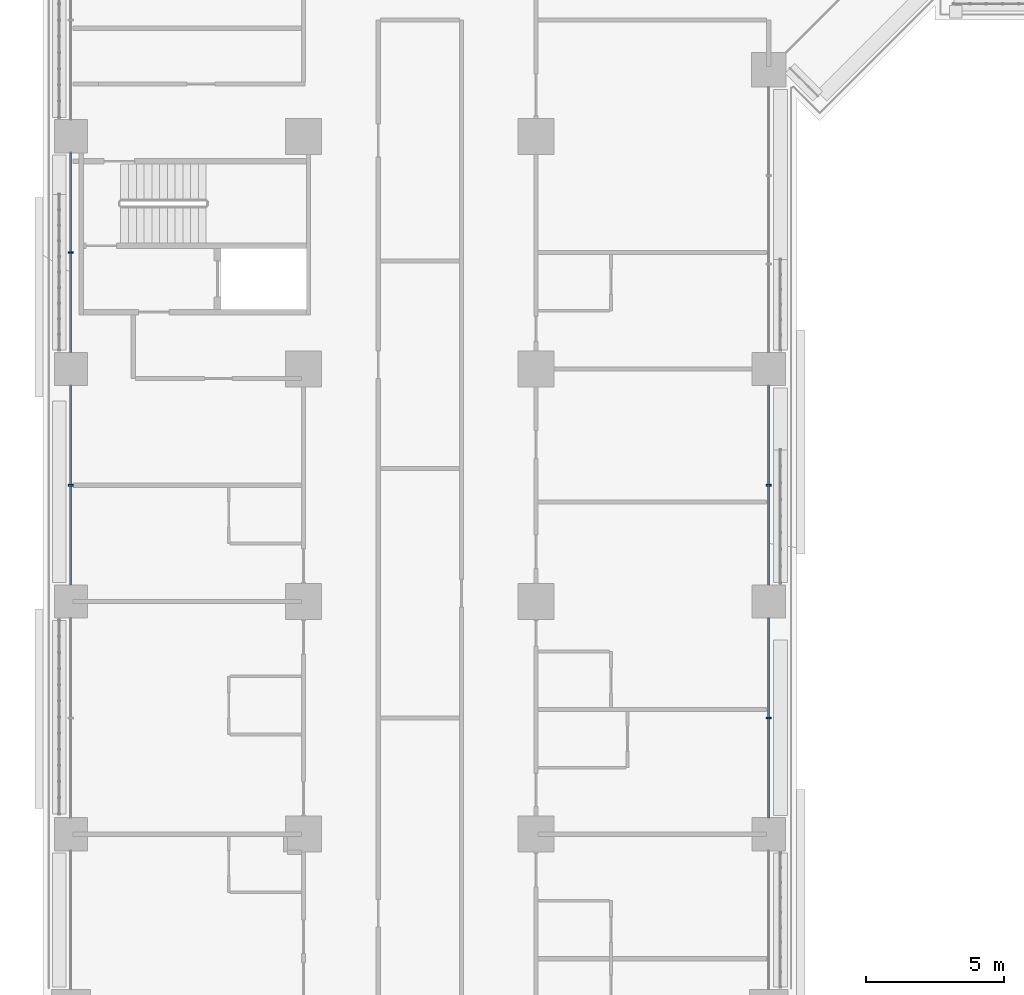
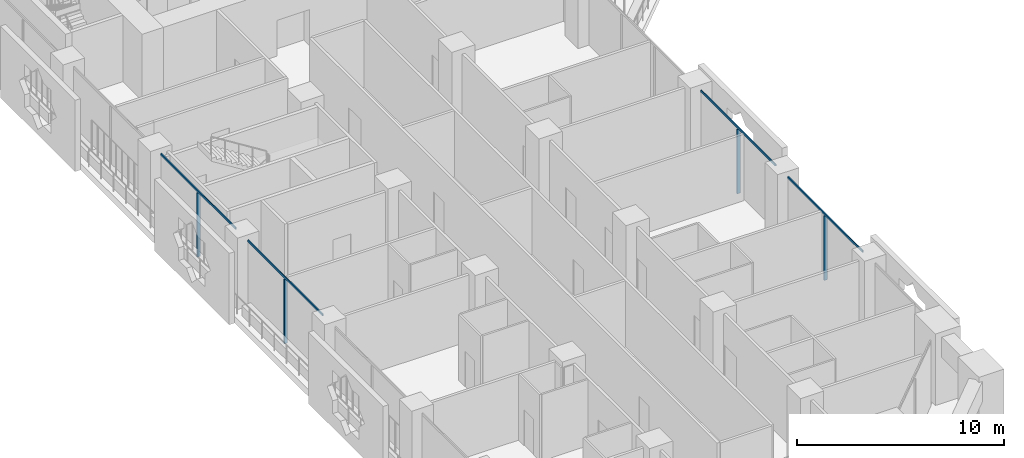
# One storey, part 3 of 28: 8 members, 2 elements without a shape of their own.
"""IFC4 building model written with IfcOpenShell, lengths in metres."""

from ifc_helpers import new_model, si_unit, direction, frame, origin, origin_2d, place, context, subcontext, project, spatial, rectangle, extrude, material, layer, layer_set, material_profile, profile_set, type_object, element, aggregate, save


model = new_model("IFC4")

# Units and contexts
model_context = context("Model", 3, precision=1e-05, world=origin(), true_north=direction((0.0, 1.0)))
body_context = subcontext(model_context, "Body", "Model", "MODEL_VIEW")
ifc_project = project(units=[si_unit("LENGTHUNIT", "METRE"), si_unit("AREAUNIT", "SQUARE_METRE"), si_unit("VOLUMEUNIT", "CUBIC_METRE"), si_unit("PLANEANGLEUNIT", "RADIAN"), si_unit("MASSUNIT", "GRAM", prefix="KILO")], contexts=[model_context])

# Site, building, storey
site_placement = place(None, origin())
site = spatial("IfcSite", under=ifc_project, at=site_placement, CompositionType="ELEMENT")
building_placement = place(site_placement, origin())
building = spatial("IfcBuilding", under=site, at=building_placement, Name="Kawkab Arch Medical Tower", CompositionType="ELEMENT")
storey_placement = place(building_placement, frame((0.0, 0.0, 56.0)))
storey = spatial("IfcBuildingStorey", under=building, at=storey_placement, Name="L12", CompositionType="ELEMENT", Elevation=56.0)

# Curtain wall, members
ifc_material_1 = material(Name="Bronze anodised aluminium curtain wall frame", Category="aluminium")
ifc_layer = layer(ifc_material_1, 0.159912109375)
ifc_layer_set = layer_set([ifc_layer], Name="Bronze anodised aluminium curtain wall frame")
curtain_wall_type = type_object("IfcCurtainWallType", Name="CW1 ward curtain wall", PredefinedType="NOTDEFINED", material=ifc_layer_set)
placement = place(storey_placement, origin())
curtain_wall_1 = element("IfcCurtainWall", 1, at=placement, inside=storey, type_object=curtain_wall_type, Name="CW1 Ward curtain wall R01", PredefinedType="NOTDEFINED")
ifc_material_2 = material(Name="Bronze anodised aluminium curtain wall frame", Category="aluminium")
ifc_material_profile_1 = material_profile(ifc_material_2, rectangle(XDim=0.179931640625, YDim=0.06005859375, at=origin_2d()), Name="AL 60x180")
ifc_profile_set_1 = profile_set([ifc_material_profile_1], Name="Bronze anodised aluminium curtain wall frame")
member_type_1 = type_object("IfcMemberType", Name="CW1 mullion 60 x 180", PredefinedType="MULLION", material=ifc_profile_set_1)
member_1_placement = place(storey_placement, frame((0.0, -37.800048828125, 0.0), z_axis=(0.0, 0.0, 1.0), x_axis=(1.0, 0.0, 0.0)))
member_1 = element("IfcMember", 2, at=member_1_placement, type_object=member_type_1, Name="CW1 mullion 4.1", PredefinedType="MULLION", context=body_context, shape_type="SweptSolid", body=[
    extrude(rectangle(XDim=0.179931640625, YDim=0.06005859375, at=origin_2d()), origin(), (0.0, 0.0, 1.0), 3.780029296875),
])
member_2_placement = place(storey_placement, frame((0.0, -46.199951171875, 0.0), z_axis=(0.0, 0.0, 1.0), x_axis=(1.0, 0.0, 0.0)))
member_2 = element("IfcMember", 3, at=member_2_placement, type_object=member_type_1, Name="CW1 mullion 5.1", PredefinedType="MULLION", context=body_context, shape_type="SweptSolid", body=[
    extrude(rectangle(XDim=0.179931640625, YDim=0.06005859375, at=origin_2d()), origin(), (0.0, 0.0, 1.0), 3.780029296875),
])

curtain_wall_2 = element("IfcCurtainWall", 4, at=placement, inside=storey, type_object=curtain_wall_type, Name="CW1 Ward curtain wall R05", PredefinedType="NOTDEFINED")
member_3_placement = place(storey_placement, frame((25.199951171875, -54.60009765625, 0.0), z_axis=(0.0, 0.0, 1.0), x_axis=(-1.0, 0.0, 0.0)))
member_3 = element("IfcMember", 5, at=member_3_placement, type_object=member_type_1, Name="CW1 mullion 2.1", PredefinedType="MULLION", context=body_context, shape_type="SweptSolid", body=[
    extrude(rectangle(XDim=0.179931640625, YDim=0.06005859375, at=origin_2d()), origin(), (0.0, 0.0, 1.0), 3.780029296875),
])
member_4_placement = place(storey_placement, frame((25.199951171875, -46.199951171875, 0.0), z_axis=(0.0, 0.0, 1.0), x_axis=(-1.0, 0.0, 0.0)))
member_4 = element("IfcMember", 6, at=member_4_placement, type_object=member_type_1, Name="CW1 mullion 3.1", PredefinedType="MULLION", context=body_context, shape_type="SweptSolid", body=[
    extrude(rectangle(XDim=0.179931640625, YDim=0.06005859375, at=origin_2d()), origin(), (0.0, 0.0, 1.0), 3.780029296875),
])

# Member
ifc_material_3 = material(Name="Bronze anodised aluminium curtain wall frame", Category="aluminium")
ifc_material_profile_2 = material_profile(ifc_material_3, rectangle(XDim=0.06005859375, YDim=0.1201171875, at=origin_2d()), Name="AL 60x120")
ifc_profile_set_2 = profile_set([ifc_material_profile_2], Name="Bronze anodised aluminium curtain wall frame")
member_type_2 = type_object("IfcMemberType", Name="CW1 transom 120 x 60", PredefinedType="USERDEFINED", material=ifc_profile_set_2)
member_5_placement = place(storey_placement, frame((0.0, -34.199951171875, 3.840087890625), z_axis=(0.0, -1.0, 0.0), x_axis=(1.0, 0.0, 0.0)))
member_5 = element("IfcMember", 7, at=member_5_placement, type_object=member_type_2, Name="CW1 transom 4", ObjectType="TRANSOM", PredefinedType="USERDEFINED", context=body_context, shape_type="SweptSolid", body=[
    extrude(rectangle(XDim=0.06005859375, YDim=0.1201171875, at=origin_2d()), origin(), (0.0, 0.0, 1.0), 7.199951171875),
])

member_6_placement = place(storey_placement, frame((0.0, -42.60009765625, 3.840087890625), z_axis=(0.0, -1.0, 0.0), x_axis=(1.0, 0.0, 0.0)))
member_6 = element("IfcMember", 8, at=member_6_placement, type_object=member_type_2, Name="CW1 transom 5", ObjectType="TRANSOM", PredefinedType="USERDEFINED", context=body_context, shape_type="SweptSolid", body=[
    extrude(rectangle(XDim=0.06005859375, YDim=0.1201171875, at=origin_2d()), origin(), (0.0, 0.0, 1.0), 7.199951171875),
])

aggregate(curtain_wall_1, [member_5, member_1, member_6, member_2])

member_7_placement = place(storey_placement, frame((25.199951171875, -58.199951171875, 3.840087890625), z_axis=(0.0, 1.0, 0.0), x_axis=(-1.0, 0.0, 0.0)))
member_7 = element("IfcMember", 9, at=member_7_placement, type_object=member_type_2, Name="CW1 transom 2", ObjectType="TRANSOM", PredefinedType="USERDEFINED", context=body_context, shape_type="SweptSolid", body=[
    extrude(rectangle(XDim=0.06005859375, YDim=0.1201171875, at=origin_2d()), origin(), (0.0, 0.0, 1.0), 7.199951171875),
])

member_8_placement = place(storey_placement, frame((25.199951171875, -49.800048828125, 3.840087890625), z_axis=(0.0, 1.0, 0.0), x_axis=(-1.0, 0.0, 0.0)))
member_8 = element("IfcMember", 10, at=member_8_placement, type_object=member_type_2, Name="CW1 transom 3", ObjectType="TRANSOM", PredefinedType="USERDEFINED", context=body_context, shape_type="SweptSolid", body=[
    extrude(rectangle(XDim=0.06005859375, YDim=0.1201171875, at=origin_2d()), origin(), (0.0, 0.0, 1.0), 7.199951171875),
])

aggregate(curtain_wall_2, [member_7, member_3, member_8, member_4])

save(model, "model.ifc")
